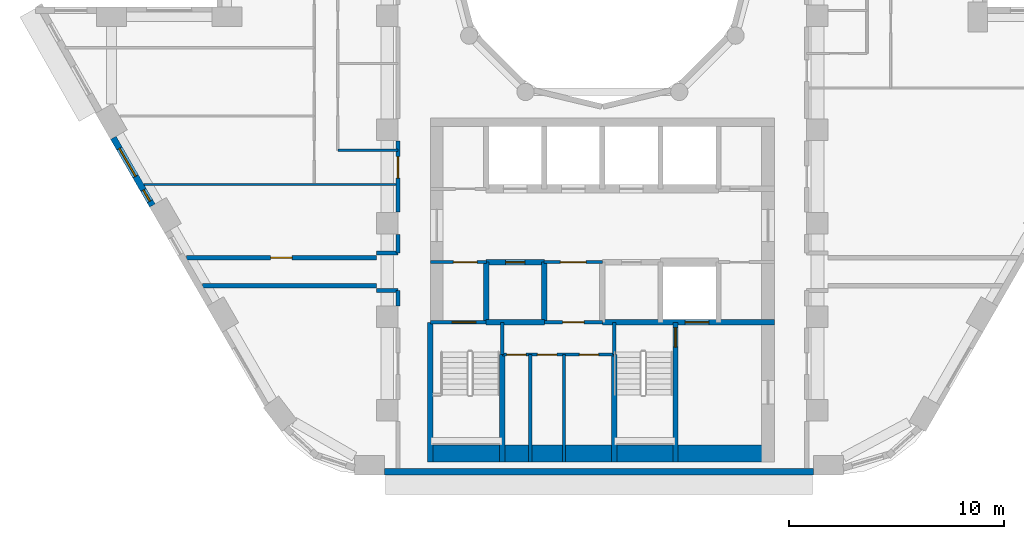
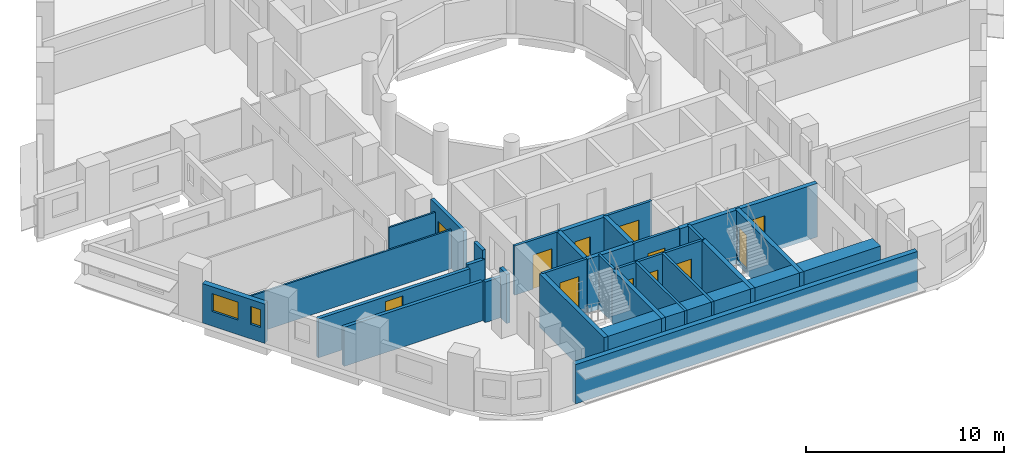
# One storey, part 3 of 12: 30 walls, 12 doors, 2 windows, 14 openings.
"""IFC4 building model written with IfcOpenShell, lengths in metres."""

from ifc_helpers import new_model, si_unit, direction, frame, frame_2d, origin, place, context, subcontext, project, spatial, rectangle, extrude, material, layer, layer_set, type_object, element, fill, save


model = new_model("IFC4")

# Units and contexts
model_context = context("Model", 3, precision=1e-05, world=origin(), true_north=direction((0.0, 1.0)))
body_context = subcontext(model_context, "Body", "Model", "MODEL_VIEW")
ifc_project = project(units=[si_unit("LENGTHUNIT", "METRE"), si_unit("AREAUNIT", "SQUARE_METRE"), si_unit("VOLUMEUNIT", "CUBIC_METRE"), si_unit("PLANEANGLEUNIT", "RADIAN"), si_unit("MASSUNIT", "GRAM", prefix="KILO")], contexts=[model_context])

# Site, building, storey
site_placement = place(None, origin())
site = spatial("IfcSite", under=ifc_project, at=site_placement, CompositionType="ELEMENT")
building_placement = place(site_placement, origin())
building = spatial("IfcBuilding", under=site, at=building_placement, Name="Nakaniwa Court", CompositionType="ELEMENT")
storey_placement = place(building_placement, frame((0.0, 0.0, 87.60009765625)))
storey = spatial("IfcBuildingStorey", under=building, at=storey_placement, Name="L22", CompositionType="ELEMENT", Elevation=87.60009765625)

# Walls
ifc_material_1 = material(Name="Acoustic double stud partition")
ifc_layer_1 = layer(ifc_material_1, 0.199951171875)
ifc_layer_set_1 = layer_set([ifc_layer_1], Name="Acoustic double stud partition")
wall_type_1 = type_object("IfcWallType", Name="Acoustic double stud partition 200", PredefinedType="PARTITIONING", material=ifc_layer_set_1)
wall_1_placement = place(storey_placement, frame((61.4091796875, 64.800048828125, 0.0), z_axis=(0.0, 0.0, 1.0), x_axis=(1.0, 0.0, 0.0)))
element("IfcWall", 1, at=wall_1_placement, inside=storey, type_object=wall_type_1, Name="Partition PW-087", PredefinedType="PARTITIONING", context=body_context, shape_type="SweptSolid", body=[
    extrude(rectangle(XDim=8.0908203125, YDim=0.199951171875, at=frame_2d((4.04541015625, 0.0))), origin(), (0.0, 0.0, 1.0), 2.40478515625),
])
for number, where, z_axis, x_axis, name in (
    (2, (69.5, 64.574951171875, 0.0), (0.0, 0.0, 1.0), (1.0, 0.0, 0.0), "Partition PW-089"),
    (3, (69.5, 66.324951171875, 0.0), (0.0, 0.0, 1.0), (1.0, 0.0, 0.0), "Partition PW-091"),
):
    element("IfcWall", number, at=place(storey_placement, frame(where, z_axis=z_axis, x_axis=x_axis)), inside=storey, type_object=wall_type_1, Name=name, PredefinedType="PARTITIONING", context=body_context, shape_type="SweptSolid", body=[
        extrude(rectangle(XDim=1.0, YDim=0.199951171875, at=frame_2d((0.5, 0.0))), origin(), (0.0, 0.0, 1.0), 2.5048828125),
    ])

# Wall, opening, door
wall_2_placement = place(storey_placement, frame((60.65869140625, 66.10009765625, 0.0), z_axis=(0.0, 0.0, 1.0), x_axis=(1.0, 0.0, 0.0)))
wall_2 = element("IfcWall", 4, at=wall_2_placement, inside=storey, type_object=wall_type_1, Name="Partition PW-093", PredefinedType="PARTITIONING", context=body_context, shape_type="SweptSolid", body=[
    extrude(rectangle(XDim=8.84130859375, YDim=0.199951171875, at=frame_2d((4.420654296875, 0.0))), origin(), (0.0, 0.0, 1.0), 2.40478515625),
])
opening_1_placement = place(wall_2_placement, frame((3.9208984375, 0.0, 0.0)))
opening_1 = element("IfcOpeningElement", 5, at=opening_1_placement, cuts=wall_2, Name="Opening D-02-08", PredefinedType="OPENING", context=body_context, shape_type="SweptSolid", body=[
    extrude(rectangle(XDim=1.0, YDim=2.10009765625, at=frame_2d((0.5, 1.050048828125))), frame((0.0, 0.10986328125, 0.0), z_axis=(0.0, -1.0, 0.0), x_axis=(1.0, 0.0, 0.0)), (0.0, 0.0, 1.0), 0.219970703125),
])
ifc_material_2 = material(Name="Solid core timber door set, black veneer", Category="wood")
door_type_1 = type_object("IfcDoorType", Name="Internal door 1000", OperationType="NOTDEFINED", PredefinedType="DOOR", material=ifc_material_2)
door_1_placement = place(opening_1_placement, origin())
door_1 = element("IfcDoor", 6, at=door_1_placement, inside=storey, type_object=door_type_1, Name="Door D-02-08 L22-050", OperationType="SINGLE_SWING_LEFT", OverallHeight=2.10009765625, OverallWidth=1.0, PredefinedType="DOOR", context=body_context, shape_type="SweptSolid", body=[
    extrude(rectangle(XDim=1.0, YDim=2.10009765625, at=frame_2d((0.5, 1.050048828125))), frame((0.0, 0.02490234375, 0.0), z_axis=(0.0, -1.0, 0.0), x_axis=(1.0, 0.0, 0.0)), (0.0, 0.0, 1.0), 0.050048828125),
])
fill(opening_1, door_1)

# Walls
wall_3_placement = place(storey_placement, frame((70.5, 63.866943359375, 0.0), z_axis=(0.0, 0.0, 1.0), x_axis=(0.0, 1.0, 0.0)))
element("IfcWall", 7, at=wall_3_placement, inside=storey, type_object=wall_type_1, Name="Partition PW-097", PredefinedType="PARTITIONING", context=body_context, shape_type="SweptSolid", body=[
    extrude(rectangle(XDim=0.7109375, YDim=0.199951171875, at=frame_2d((0.35546875, 0.0))), origin(), (0.0, 0.0, 1.0), 3.02490234375),
])
wall_4_placement = place(storey_placement, frame((70.5, 66.322021484375, 0.0), z_axis=(0.0, 0.0, 1.0), x_axis=(0.0, 1.0, 0.0)))
element("IfcWall", 8, at=wall_4_placement, inside=storey, type_object=wall_type_1, Name="Partition PW-098", PredefinedType="PARTITIONING", context=body_context, shape_type="SweptSolid", body=[
    extrude(rectangle(XDim=0.861083984375, YDim=0.199951171875, at=frame_2d((0.4306640625, 0.0))), origin(), (0.0, 0.0, 1.0), 3.02490234375),
])

# Wall, opening, door
wall_5_placement = place(storey_placement, frame((70.5, 68.217041015625, 0.0), z_axis=(0.0, 0.0, 1.0), x_axis=(0.0, 1.0, 0.0)))
wall_5 = element("IfcWall", 9, at=wall_5_placement, inside=storey, type_object=wall_type_1, Name="Partition PW-099", PredefinedType="PARTITIONING", context=body_context, shape_type="SweptSolid", body=[
    extrude(rectangle(XDim=3.31591796875, YDim=0.199951171875, at=frame_2d((1.657958984375, 0.0))), origin(), (0.0, 0.0, 1.0), 3.02490234375),
])
opening_2_placement = place(wall_5_placement, frame((1.5830078125, 0.0, 0.0)))
opening_2 = element("IfcOpeningElement", 10, at=opening_2_placement, cuts=wall_5, Name="Opening D-01-03", PredefinedType="OPENING", context=body_context, shape_type="SweptSolid", body=[
    extrude(rectangle(XDim=1.0, YDim=2.10009765625, at=frame_2d((0.5, 1.050048828125))), frame((0.0, 0.10986328125, 0.0), z_axis=(0.0, -1.0, 0.0), x_axis=(1.0, 0.0, 0.0)), (0.0, 0.0, 1.0), 0.219970703125),
])
door_type_2 = type_object("IfcDoorType", Name="Flat entrance door 1000", OperationType="NOTDEFINED", PredefinedType="DOOR", material=ifc_material_2)
door_2_placement = place(opening_2_placement, origin())
door_2 = element("IfcDoor", 11, at=door_2_placement, inside=storey, type_object=door_type_2, Name="Door D-01-03 L22-039", OperationType="SINGLE_SWING_RIGHT", OverallHeight=2.10009765625, OverallWidth=1.0, PredefinedType="DOOR", context=body_context, shape_type="SweptSolid", body=[
    extrude(rectangle(XDim=1.0, YDim=2.10009765625, at=frame_2d((0.5, 1.050048828125))), frame((0.0, 0.02490234375, 0.0), z_axis=(0.0, -1.0, 0.0), x_axis=(1.0, 0.0, 0.0)), (0.0, 0.0, 1.0), 0.050048828125),
])
fill(opening_2, door_2)

# Wall, openings, windows
ifc_material_3 = material(Name="Charcoal ceramic cladding")
ifc_layer_2 = layer(ifc_material_3, 0.02, Name="Ceramic cladding")
ifc_material_4 = material(Name="Ventilated air cavity")
ifc_layer_3 = layer(ifc_material_4, 0.04, ventilated=True, Name="Ventilated cavity")
ifc_material_5 = material(Name="Mineral wool insulation")
ifc_layer_4 = layer(ifc_material_5, 0.1, Name="Insulation")
ifc_material_6 = material(Name="Cement bonded sheathing board")
ifc_layer_5 = layer(ifc_material_6, 0.012, Name="Sheathing")
ifc_material_7 = material(Name="Cold-formed galvanised stud frame with mineral wool infill")
ifc_layer_6 = layer(ifc_material_7, 0.1, Name="Stud frame")
ifc_material_8 = material(Name="Fire-rated gypsum plasterboard lining")
ifc_layer_7 = layer(ifc_material_8, 0.028, Name="Lining")
ifc_layer_set_2 = layer_set([ifc_layer_2, ifc_layer_3, ifc_layer_4, ifc_layer_5, ifc_layer_6, ifc_layer_7], Name="Charcoal ceramic faced external wall system")
wall_type_2 = type_object("IfcWallType", Name="Black ceramic faced external wall 300", PredefinedType="SOLIDWALL", material=ifc_layer_set_2)
wall_6_placement = place(storey_placement, frame((57.265380859375, 71.677490234375, 0.0), z_axis=(0.0, 0.0, 1.0), x_axis=(0.500009139881, -0.866020126807, 0.0)))
wall_6 = element("IfcWall", 12, at=wall_6_placement, inside=storey, type_object=wall_type_2, Name="L22 external wall 21", PredefinedType="SOLIDWALL", context=body_context, shape_type="SweptSolid", body=[
    extrude(rectangle(XDim=3.63671875, YDim=0.300048828125, at=frame_2d((1.818359375, 0.0))), origin(), (0.0, 0.0, 1.0), 2.4248046875),
])
opening_3_placement = place(wall_6_placement, frame((0.568359375, 0.0, 0.89990234375)))
opening_3 = element("IfcOpeningElement", 13, at=opening_3_placement, cuts=wall_6, Name="Opening W5.25", PredefinedType="OPENING", context=body_context, shape_type="SweptSolid", body=[
    extrude(rectangle(XDim=1.5, YDim=1.10009765625, at=frame_2d((0.75, 0.550048828125))), frame((0.0, 0.159912109375, 0.0), z_axis=(0.0, -1.0, 0.0), x_axis=(1.0, 0.0, 0.0)), (0.0, 0.0, 1.0), 0.320068359375),
])
opening_4_placement = place(wall_6_placement, frame((2.7998046875, 0.0, 0.89990234375)))
opening_4 = element("IfcOpeningElement", 14, at=opening_4_placement, cuts=wall_6, Name="Opening W8.26", PredefinedType="OPENING", context=body_context, shape_type="SweptSolid", body=[
    extrude(rectangle(XDim=0.60009765625, YDim=1.10009765625, at=frame_2d((0.300048828125, 0.550048828125))), frame((0.0, 0.159912109375, 0.0), z_axis=(0.0, -1.0, 0.0), x_axis=(1.0, 0.0, 0.0)), (0.0, 0.0, 1.0), 0.320068359375),
])
ifc_material_9 = material(Name="Black anodised aluminium frame with dark low-E laminated double glazing", Category="aluminium")
window_type_1 = type_object("IfcWindowType", Name="Dark glass window 1500x1100 sill 900", PartitioningType="SINGLE_PANEL", PredefinedType="WINDOW", material=ifc_material_9)
window_1_placement = place(opening_3_placement, origin())
window_1 = element("IfcWindow", 15, at=window_1_placement, inside=storey, type_object=window_type_1, Name="L22 bedroom window 21-0", OverallHeight=1.10009765625, OverallWidth=1.5, PartitioningType="SINGLE_PANEL", PredefinedType="WINDOW", context=body_context, shape_type="SweptSolid", body=[
    extrude(rectangle(XDim=1.5, YDim=1.10009765625, at=frame_2d((0.75, 0.550048828125))), frame((0.0, 0.030029296875, 0.0), z_axis=(0.0, -1.0, 0.0), x_axis=(1.0, 0.0, 0.0)), (0.0, 0.0, 1.0), 0.06005859375),
])
fill(opening_3, window_1)
window_type_2 = type_object("IfcWindowType", Name="Dark glass window 600x1100 sill 900", PartitioningType="SINGLE_PANEL", PredefinedType="WINDOW", material=ifc_material_9)
window_2_placement = place(opening_4_placement, origin())
window_2 = element("IfcWindow", 16, at=window_2_placement, inside=storey, type_object=window_type_2, Name="L22 habitable room window 21-1", OverallHeight=1.10009765625, OverallWidth=0.60009765625, PartitioningType="SINGLE_PANEL", PredefinedType="WINDOW", context=body_context, shape_type="SweptSolid", body=[
    extrude(rectangle(XDim=0.60009765625, YDim=1.10009765625, at=frame_2d((0.300048828125, 0.550048828125))), frame((0.0, 0.030029296875, 0.0), z_axis=(0.0, -1.0, 0.0), x_axis=(1.0, 0.0, 0.0)), (0.0, 0.0, 1.0), 0.06005859375),
])
fill(opening_4, window_2)

# Wall
wall_7_placement = place(storey_placement, frame((69.871337890625, 56.14990234375, 0.0), z_axis=(0.0, 0.0, 1.0), x_axis=(1.0, 0.0, 0.0)))
element("IfcWall", 17, at=wall_7_placement, inside=storey, type_object=wall_type_2, Name="L22 external wall 26", PredefinedType="SOLIDWALL", context=body_context, shape_type="SweptSolid", body=[
    extrude(rectangle(XDim=19.939697265625, YDim=0.300048828125, at=frame_2d((9.9697265625, 0.0))), origin(), (0.0, 0.0, 1.0), 2.4248046875),
])

# Wall, opening, door
ifc_material_10 = material(Name="Blockwork partition", Category="masonry")
ifc_layer_8 = layer(ifc_material_10, 0.14990234375)
ifc_layer_set_3 = layer_set([ifc_layer_8], Name="Blockwork partition")
wall_type_3 = type_object("IfcWallType", Name="Blockwork partition 150", PredefinedType="PARTITIONING", material=ifc_layer_set_3)
wall_8_placement = place(storey_placement, frame((74.60302734375, 65.89990234375, 0.0), z_axis=(0.0, 0.0, 1.0), x_axis=(-1.0, 0.0, 0.0)))
wall_8 = element("IfcWall", 18, at=wall_8_placement, inside=storey, type_object=wall_type_3, Name="Partition PW-050", PredefinedType="PARTITIONING", context=body_context, shape_type="SweptSolid", body=[
    extrude(rectangle(XDim=2.60302734375, YDim=0.14990234375, at=frame_2d((1.301513671875, 0.0))), origin(), (0.0, 0.0, 1.0), 3.02490234375),
])
opening_5_placement = place(wall_8_placement, frame((0.427978515625, 0.0, 0.0)))
opening_5 = element("IfcOpeningElement", 19, at=opening_5_placement, cuts=wall_8, Name="Opening D-08-02", PredefinedType="OPENING", context=body_context, shape_type="SweptSolid", body=[
    extrude(rectangle(XDim=1.10009765625, YDim=2.10009765625, at=frame_2d((0.550048828125, 1.050048828125))), frame((0.0, 0.0849609375, 0.0), z_axis=(0.0, -1.0, 0.0), x_axis=(1.0, 0.0, 0.0)), (0.0, 0.0, 1.0), 0.169921875),
])
ifc_material_11 = material(Name="Fire rated steel door set", Category="steel")
door_type_3 = type_object("IfcDoorType", Name="Stair lobby door 1100", OperationType="NOTDEFINED", PredefinedType="DOOR", material=ifc_material_11)
door_3_placement = place(opening_5_placement, origin())
door_3 = element("IfcDoor", 20, at=door_3_placement, inside=storey, type_object=door_type_3, Name="Door D-08-02 L22-016", OperationType="SINGLE_SWING_LEFT", OverallHeight=2.10009765625, OverallWidth=1.10009765625, PredefinedType="DOOR", context=body_context, shape_type="SweptSolid", body=[
    extrude(rectangle(XDim=1.10009765625, YDim=2.10009765625, at=frame_2d((0.550048828125, 1.050048828125))), frame((0.0, 0.02490234375, 0.0), z_axis=(0.0, -1.0, 0.0), x_axis=(1.0, 0.0, 0.0)), (0.0, 0.0, 1.0), 0.050048828125),
])
fill(opening_5, door_3)

wall_9_placement = place(storey_placement, frame((80.0029296875, 65.89990234375, 0.0), z_axis=(0.0, 0.0, 1.0), x_axis=(-1.0, 0.0, 0.0)))
wall_9 = element("IfcWall", 21, at=wall_9_placement, inside=storey, type_object=wall_type_3, Name="Partition PW-051", PredefinedType="PARTITIONING", context=body_context, shape_type="SweptSolid", body=[
    extrude(rectangle(XDim=2.705810546875, YDim=0.14990234375, at=frame_2d((1.35302734375, 0.0))), origin(), (0.0, 0.0, 1.0), 3.02490234375),
])
opening_6_placement = place(wall_9_placement, frame((0.7529296875, 0.0, 0.0)))
opening_6 = element("IfcOpeningElement", 22, at=opening_6_placement, cuts=wall_9, Name="Opening D-06-02", PredefinedType="OPENING", context=body_context, shape_type="SweptSolid", body=[
    extrude(rectangle(XDim=1.199951171875, YDim=2.10009765625, at=frame_2d((0.60009765625, 1.050048828125))), frame((0.0, 0.0849609375, 0.0), z_axis=(0.0, -1.0, 0.0), x_axis=(1.0, 0.0, 0.0)), (0.0, 0.0, 1.0), 0.169921875),
])
ifc_material_12 = material(Name="Fire rated steel double door set", Category="steel")
door_type_4 = type_object("IfcDoorType", Name="Service passage double door 1200", OperationType="NOTDEFINED", PredefinedType="DOOR", material=ifc_material_12)
door_4_placement = place(opening_6_placement, origin())
door_4 = element("IfcDoor", 23, at=door_4_placement, inside=storey, type_object=door_type_4, Name="Door D-06-02 L22-018", OperationType="DOUBLE_DOOR_SINGLE_SWING", OverallHeight=2.10009765625, OverallWidth=1.199951171875, PredefinedType="DOOR", context=body_context, shape_type="SweptSolid", body=[
    extrude(rectangle(XDim=1.199951171875, YDim=2.10009765625, at=frame_2d((0.60009765625, 1.050048828125))), frame((0.0, 0.02490234375, 0.0), z_axis=(0.0, -1.0, 0.0), x_axis=(1.0, 0.0, 0.0)), (0.0, 0.0, 1.0), 0.050048828125),
])
fill(opening_6, door_4)

wall_10_placement = place(storey_placement, frame((80.0, 63.10009765625, 0.0), z_axis=(0.0, 0.0, 1.0), x_axis=(-1.0, 0.0, 0.0)))
wall_10 = element("IfcWall", 24, at=wall_10_placement, inside=storey, type_object=wall_type_3, Name="Partition PW-059", PredefinedType="PARTITIONING", context=body_context, shape_type="SweptSolid", body=[
    extrude(rectangle(XDim=2.699951171875, YDim=0.14990234375, at=frame_2d((1.35009765625, 0.0))), origin(), (0.0, 0.0, 1.0), 3.02490234375),
])
opening_7_placement = place(wall_10_placement, frame((0.85009765625, 0.0, 0.0)))
opening_7 = element("IfcOpeningElement", 25, at=opening_7_placement, cuts=wall_10, Name="Opening D-23-02", PredefinedType="OPENING", context=body_context, shape_type="SweptSolid", body=[
    extrude(rectangle(XDim=1.0, YDim=2.10009765625, at=frame_2d((0.5, 1.050048828125))), frame((0.0, 0.0849609375, 0.0), z_axis=(0.0, -1.0, 0.0), x_axis=(1.0, 0.0, 0.0)), (0.0, 0.0, 1.0), 0.169921875),
])
door_type_5 = type_object("IfcDoorType", Name="Service room door 1000", OperationType="NOTDEFINED", PredefinedType="DOOR", material=ifc_material_11)
door_5_placement = place(opening_7_placement, origin())
door_5 = element("IfcDoor", 26, at=door_5_placement, inside=storey, type_object=door_type_5, Name="Door D-23-02 L22-021", OperationType="SINGLE_SWING_RIGHT", OverallHeight=2.10009765625, OverallWidth=1.0, PredefinedType="DOOR", context=body_context, shape_type="SweptSolid", body=[
    extrude(rectangle(XDim=1.0, YDim=2.10009765625, at=frame_2d((0.5, 1.050048828125))), frame((0.0, 0.02490234375, 0.0), z_axis=(0.0, -1.0, 0.0), x_axis=(1.0, 0.0, 0.0)), (0.0, 0.0, 1.0), 0.050048828125),
])
fill(opening_7, door_5)

# Wall, openings, doors
wall_11_placement = place(storey_placement, frame((80.550048828125, 61.60009765625, 0.0), z_axis=(0.0, 0.0, 1.0), x_axis=(-1.0, 0.0, 0.0)))
wall_11 = element("IfcWall", 27, at=wall_11_placement, inside=storey, type_object=wall_type_3, Name="Partition PW-066", PredefinedType="PARTITIONING", context=body_context, shape_type="SweptSolid", body=[
    extrude(rectangle(XDim=5.199951171875, YDim=0.14990234375, at=frame_2d((2.60009765625, 0.0))), origin(), (0.0, 0.0, 1.0), 3.02490234375),
])
opening_8_placement = place(wall_11_placement, frame((4.10009765625, 0.0, 0.0)))
opening_8 = element("IfcOpeningElement", 28, at=opening_8_placement, cuts=wall_11, Name="Opening D-05-14", PredefinedType="OPENING", context=body_context, shape_type="SweptSolid", body=[
    extrude(rectangle(XDim=0.89990234375, YDim=2.10009765625, at=frame_2d((0.449951171875, 1.050048828125))), frame((0.0, 0.0849609375, 0.0), z_axis=(0.0, -1.0, 0.0), x_axis=(1.0, 0.0, 0.0)), (0.0, 0.0, 1.0), 0.169921875),
])
opening_9_placement = place(wall_11_placement, frame((2.669921875, 0.0, 0.0)))
opening_9 = element("IfcOpeningElement", 29, at=opening_9_placement, cuts=wall_11, Name="Opening D-05-15", PredefinedType="OPENING", context=body_context, shape_type="SweptSolid", body=[
    extrude(rectangle(XDim=0.89990234375, YDim=2.10009765625, at=frame_2d((0.449951171875, 1.050048828125))), frame((0.0, 0.0849609375, 0.0), z_axis=(0.0, -1.0, 0.0), x_axis=(1.0, 0.0, 0.0)), (0.0, 0.0, 1.0), 0.169921875),
])
opening_10_placement = place(wall_11_placement, frame((0.719970703125, 0.0, 0.0)))
opening_10 = element("IfcOpeningElement", 30, at=opening_10_placement, cuts=wall_11, Name="Opening D-05-16", PredefinedType="OPENING", context=body_context, shape_type="SweptSolid", body=[
    extrude(rectangle(XDim=0.89990234375, YDim=2.10009765625, at=frame_2d((0.449951171875, 1.050048828125))), frame((0.0, 0.0849609375, 0.0), z_axis=(0.0, -1.0, 0.0), x_axis=(1.0, 0.0, 0.0)), (0.0, 0.0, 1.0), 0.169921875),
])
door_type_6 = type_object("IfcDoorType", Name="Service room door 900", OperationType="NOTDEFINED", PredefinedType="DOOR", material=ifc_material_11)
door_6_placement = place(opening_8_placement, origin())
door_6 = element("IfcDoor", 31, at=door_6_placement, inside=storey, type_object=door_type_6, Name="Door D-05-14 L22-022", OperationType="SINGLE_SWING_LEFT", OverallHeight=2.10009765625, OverallWidth=0.89990234375, PredefinedType="DOOR", context=body_context, shape_type="SweptSolid", body=[
    extrude(rectangle(XDim=0.89990234375, YDim=2.10009765625, at=frame_2d((0.449951171875, 1.050048828125))), frame((0.0, 0.02490234375, 0.0), z_axis=(0.0, -1.0, 0.0), x_axis=(1.0, 0.0, 0.0)), (0.0, 0.0, 1.0), 0.050048828125),
])
fill(opening_8, door_6)
door_7_placement = place(opening_9_placement, origin())
door_7 = element("IfcDoor", 32, at=door_7_placement, inside=storey, type_object=door_type_6, Name="Door D-05-15 L22-023", OperationType="SINGLE_SWING_RIGHT", OverallHeight=2.10009765625, OverallWidth=0.89990234375, PredefinedType="DOOR", context=body_context, shape_type="SweptSolid", body=[
    extrude(rectangle(XDim=0.89990234375, YDim=2.10009765625, at=frame_2d((0.449951171875, 1.050048828125))), frame((0.0, 0.02490234375, 0.0), z_axis=(0.0, -1.0, 0.0), x_axis=(1.0, 0.0, 0.0)), (0.0, 0.0, 1.0), 0.050048828125),
])
fill(opening_9, door_7)
door_8_placement = place(opening_10_placement, origin())
door_8 = element("IfcDoor", 33, at=door_8_placement, inside=storey, type_object=door_type_6, Name="Door D-05-16 L22-024", OperationType="SINGLE_SWING_LEFT", OverallHeight=2.10009765625, OverallWidth=0.89990234375, PredefinedType="DOOR", context=body_context, shape_type="SweptSolid", body=[
    extrude(rectangle(XDim=0.89990234375, YDim=2.10009765625, at=frame_2d((0.449951171875, 1.050048828125))), frame((0.0, 0.02490234375, 0.0), z_axis=(0.0, -1.0, 0.0), x_axis=(1.0, 0.0, 0.0)), (0.0, 0.0, 1.0), 0.050048828125),
])
fill(opening_10, door_8)

# Walls
for number, where, z_axis, x_axis, name in (
    (34, (76.64990234375, 56.60009765625, 0.0), (0.0, 0.0, 1.0), (0.0, 1.0, 0.0), "Partition PW-067"),
    (35, (78.2099609375, 56.60009765625, 0.0), (0.0, 0.0, 1.0), (0.0, 1.0, 0.0), "Partition PW-068"),
):
    element("IfcWall", number, at=place(storey_placement, frame(where, z_axis=z_axis, x_axis=x_axis)), inside=storey, type_object=wall_type_3, Name=name, PredefinedType="PARTITIONING", context=body_context, shape_type="SweptSolid", body=[
        extrude(rectangle(XDim=5.0, YDim=0.14990234375, at=frame_2d((2.5, 0.0))), origin(), (0.0, 0.0, 1.0), 3.02490234375),
    ])

# Wall, opening, door
ifc_material_13 = material(Name="Concrete C80/100", Category="concrete")
ifc_layer_9 = layer(ifc_material_13, 0.14990234375)
ifc_layer_set_4 = layer_set([ifc_layer_9], Name="Concrete C80/100")
wall_type_4 = type_object("IfcWallType", Name="Concrete core wall 150 C80", PredefinedType="SHEAR", material=ifc_layer_set_4)
wall_12_placement = place(storey_placement, frame((72.0, 63.10009765625, -0.275146484375), z_axis=(0.0, 0.0, 1.0), x_axis=(1.0, 0.0, 0.0)))
wall_12 = element("IfcWall", 36, at=wall_12_placement, inside=storey, type_object=wall_type_4, Name="Core wall SW-56", PredefinedType="SHEAR", context=body_context, shape_type="SweptSolid", body=[
    extrude(rectangle(XDim=2.60009765625, YDim=0.14990234375, at=frame_2d((1.300048828125, 0.0))), origin(), (0.0, 0.0, 1.0), 3.300048828125),
])
opening_11_placement = place(wall_12_placement, frame((1.02001953125, 0.0, 0.27490234375)))
opening_11 = element("IfcOpeningElement", 37, at=opening_11_placement, cuts=wall_12, Name="Opening D-09-02", PredefinedType="OPENING", context=body_context, shape_type="SweptSolid", body=[
    extrude(rectangle(XDim=1.10009765625, YDim=2.10009765625, at=frame_2d((0.550048828125, 1.050048828125))), frame((0.0, 0.0849609375, 0.0), z_axis=(0.0, -1.0, 0.0), x_axis=(1.0, 0.0, 0.0)), (0.0, 0.0, 1.0), 0.169921875),
])
door_type_7 = type_object("IfcDoorType", Name="Stair door 1100", OperationType="NOTDEFINED", PredefinedType="DOOR", material=ifc_material_11)
door_9_placement = place(opening_11_placement, origin())
door_9 = element("IfcDoor", 38, at=door_9_placement, inside=storey, type_object=door_type_7, Name="Door D-09-02 L22-025", OperationType="SINGLE_SWING_LEFT", OverallHeight=2.10009765625, OverallWidth=1.10009765625, PredefinedType="DOOR", context=body_context, shape_type="SweptSolid", body=[
    extrude(rectangle(XDim=1.10009765625, YDim=2.10009765625, at=frame_2d((0.550048828125, 1.050048828125))), frame((0.0, 0.02490234375, 0.0), z_axis=(0.0, -1.0, 0.0), x_axis=(1.0, 0.0, 0.0)), (0.0, 0.0, 1.0), 0.050048828125),
])
fill(opening_11, door_9)

# Walls
for number, where, z_axis, x_axis, name in (
    (39, (75.35009765625, 61.596923828125, -0.275146484375), (0.0, 0.0, 1.0), (0.0, 1.0, 0.0), "Core wall SW-60"),
    (40, (80.550048828125, 61.596923828125, -0.275146484375), (0.0, 0.0, 1.0), (0.0, 1.0, 0.0), "Core wall SW-64"),
):
    element("IfcWall", number, at=place(storey_placement, frame(where, z_axis=z_axis, x_axis=x_axis)), inside=storey, type_object=wall_type_4, Name=name, PredefinedType="SHEAR", context=body_context, shape_type="SweptSolid", body=[
        extrude(rectangle(XDim=1.503173828125, YDim=0.14990234375, at=frame_2d((0.75146484375, 0.0))), origin(), (0.0, 0.0, 1.0), 3.300048828125),
    ])
ifc_layer_10 = layer(ifc_material_13, 0.25)
ifc_layer_set_5 = layer_set([ifc_layer_10], Name="Concrete C80/100")
wall_type_5 = type_object("IfcWallType", Name="Concrete core wall 250 C80", PredefinedType="SHEAR", material=ifc_layer_set_5)
wall_13_placement = place(storey_placement, frame((72.0, 56.60009765625, -0.275146484375), z_axis=(0.0, 0.0, 1.0), x_axis=(0.0, 1.0, 0.0)))
element("IfcWall", 41, at=wall_13_placement, inside=storey, type_object=wall_type_5, Name="Core wall SW-62", PredefinedType="SHEAR", context=body_context, shape_type="SweptSolid", body=[
    extrude(rectangle(XDim=6.5, YDim=0.25, at=frame_2d((3.25, 0.0))), origin(), (0.0, 0.0, 1.0), 3.300048828125),
])
ifc_layer_11 = layer(ifc_material_13, 0.800048828125)
ifc_layer_set_6 = layer_set([ifc_layer_11], Name="Concrete C80/100")
wall_type_6 = type_object("IfcWallType", Name="Concrete core wall 800 C80", PredefinedType="SHEAR", material=ifc_layer_set_6)
wall_14_placement = place(storey_placement, frame((72.00390625, 57.0, -0.275146484375), z_axis=(0.0, 0.0, 1.0), x_axis=(1.0, 0.0, 0.0)))
element("IfcWall", 42, at=wall_14_placement, inside=storey, type_object=wall_type_6, Name="Core wall SW-129", PredefinedType="SHEAR", context=body_context, shape_type="SweptSolid", body=[
    extrude(rectangle(XDim=15.9921875, YDim=0.800048828125, at=frame_2d((7.99609375, 0.0))), origin(), (0.0, 0.0, 1.0), 3.300048828125),
])
ifc_layer_12 = layer(ifc_material_13, 0.25)
ifc_layer_set_7 = layer_set([ifc_layer_12], Name="Concrete C80/100")
wall_type_7 = type_object("IfcWallType", Name="Concrete shaft wall 250 C80", PredefinedType="SHEAR", material=ifc_layer_set_7)
for number, where, z_axis, x_axis, name in (
    (43, (74.60009765625, 63.10009765625, -0.275146484375), (0.0, 0.0, 1.0), (0.0, 1.0, 0.0), "Core wall SW-35"),
    (44, (77.300048828125, 63.10009765625, -0.275146484375), (0.0, 0.0, 1.0), (0.0, 1.0, 0.0), "Core wall SW-39"),
):
    element("IfcWall", number, at=place(storey_placement, frame(where, z_axis=z_axis, x_axis=x_axis)), inside=storey, type_object=wall_type_7, Name=name, PredefinedType="SHEAR", context=body_context, shape_type="SweptSolid", body=[
        extrude(rectangle(XDim=2.7998046875, YDim=0.25, at=frame_2d((1.39990234375, 0.0))), origin(), (0.0, 0.0, 1.0), 3.300048828125),
    ])

# Wall, opening, door
wall_15_placement = place(storey_placement, frame((77.302978515625, 65.89990234375, -0.275146484375), z_axis=(0.0, 0.0, 1.0), x_axis=(-1.0, 0.0, 0.0)))
wall_15 = element("IfcWall", 45, at=wall_15_placement, inside=storey, type_object=wall_type_7, Name="Core wall SW-53", PredefinedType="SHEAR", context=body_context, shape_type="SweptSolid", body=[
    extrude(rectangle(XDim=2.7060546875, YDim=0.25, at=frame_2d((1.35302734375, 0.0))), origin(), (0.0, 0.0, 1.0), 3.300048828125),
])
opening_12_placement = place(wall_15_placement, frame((0.903076171875, 0.0, 0.27490234375)))
opening_12 = element("IfcOpeningElement", 46, at=opening_12_placement, cuts=wall_15, Name="Opening D-05-11", PredefinedType="OPENING", context=body_context, shape_type="SweptSolid", body=[
    extrude(rectangle(XDim=0.89990234375, YDim=2.10009765625, at=frame_2d((0.449951171875, 1.050048828125))), frame((0.0, 0.135009765625, 0.0), z_axis=(0.0, -1.0, 0.0), x_axis=(1.0, 0.0, 0.0)), (0.0, 0.0, 1.0), 0.27001953125),
])
door_10_placement = place(opening_12_placement, origin())
door_10 = element("IfcDoor", 47, at=door_10_placement, inside=storey, type_object=door_type_6, Name="Door D-05-11 L22-017", OperationType="SINGLE_SWING_RIGHT", OverallHeight=2.10009765625, OverallWidth=0.89990234375, PredefinedType="DOOR", context=body_context, shape_type="SweptSolid", body=[
    extrude(rectangle(XDim=0.89990234375, YDim=2.10009765625, at=frame_2d((0.449951171875, 1.050048828125))), frame((0.0, 0.02490234375, 0.0), z_axis=(0.0, -1.0, 0.0), x_axis=(1.0, 0.0, 0.0)), (0.0, 0.0, 1.0), 0.050048828125),
])
fill(opening_12, door_10)

# Wall
wall_16_placement = place(storey_placement, frame((74.60009765625, 63.10009765625, -0.275146484375), z_axis=(0.0, 0.0, 1.0), x_axis=(1.0, 0.0, 0.0)))
element("IfcWall", 48, at=wall_16_placement, inside=storey, type_object=wall_type_7, Name="Core wall SW-57", PredefinedType="SHEAR", context=body_context, shape_type="SweptSolid", body=[
    extrude(rectangle(XDim=2.699951171875, YDim=0.25, at=frame_2d((1.35009765625, 0.0))), origin(), (0.0, 0.0, 1.0), 3.300048828125),
])

# Wall, opening, door
wall_17_placement = place(storey_placement, frame((80.0, 63.10009765625, -0.275146484375), z_axis=(0.0, 0.0, 1.0), x_axis=(1.0, 0.0, 0.0)))
wall_17 = element("IfcWall", 49, at=wall_17_placement, inside=storey, type_object=wall_type_7, Name="Core wall SW-58", PredefinedType="SHEAR", context=body_context, shape_type="SweptSolid", body=[
    extrude(rectangle(XDim=8.0, YDim=0.25, at=frame_2d((4.0, 0.0))), origin(), (0.0, 0.0, 1.0), 3.300048828125),
])
opening_13_placement = place(wall_17_placement, frame((3.84912109375, 0.0, 0.27490234375)))
opening_13 = element("IfcOpeningElement", 50, at=opening_13_placement, cuts=wall_17, Name="Opening LD08", PredefinedType="OPENING", context=body_context, shape_type="SweptSolid", body=[
    extrude(rectangle(XDim=1.10009765625, YDim=2.10009765625, at=frame_2d((0.550048828125, 1.050048828125))), frame((0.0, 0.135009765625, 0.0), z_axis=(0.0, -1.0, 0.0), x_axis=(1.0, 0.0, 0.0)), (0.0, 0.0, 1.0), 0.27001953125),
])
ifc_material_14 = material(Name="Stainless steel sliding lift landing door", Category="steel")
door_type_8 = type_object("IfcDoorType", Name="Lift landing door 1100", OperationType="NOTDEFINED", PredefinedType="DOOR", material=ifc_material_14)
door_11_placement = place(opening_13_placement, origin())
door_11 = element("IfcDoor", 51, at=door_11_placement, inside=storey, type_object=door_type_8, Name="Lift landing door LD08 L22-008", OperationType="SLIDING_TO_LEFT", OverallHeight=2.10009765625, OverallWidth=1.10009765625, PredefinedType="DOOR", context=body_context, shape_type="SweptSolid", body=[
    extrude(rectangle(XDim=1.10009765625, YDim=2.10009765625, at=frame_2d((0.550048828125, 1.050048828125))), frame((0.0, 0.02490234375, 0.0), z_axis=(0.0, -1.0, 0.0), x_axis=(1.0, 0.0, 0.0)), (0.0, 0.0, 1.0), 0.050048828125),
])
fill(opening_13, door_11)

# Wall
wall_18_placement = place(storey_placement, frame((75.35009765625, 56.60009765625, -0.275146484375), z_axis=(0.0, 0.0, 1.0), x_axis=(0.0, 1.0, 0.0)))
element("IfcWall", 52, at=wall_18_placement, inside=storey, type_object=wall_type_7, Name="Core wall SW-61", PredefinedType="SHEAR", context=body_context, shape_type="SweptSolid", body=[
    extrude(rectangle(XDim=5.0029296875, YDim=0.25, at=frame_2d((2.50146484375, 0.0))), origin(), (0.0, 0.0, 1.0), 3.300048828125),
])

# Wall, opening, door
wall_19_placement = place(storey_placement, frame((83.39990234375, 63.10009765625, -0.275146484375), z_axis=(0.0, 0.0, 1.0), x_axis=(0.0, -1.0, 0.0)))
wall_19 = element("IfcWall", 53, at=wall_19_placement, inside=storey, type_object=wall_type_7, Name="Core wall SW-63", PredefinedType="SHEAR", context=body_context, shape_type="SweptSolid", body=[
    extrude(rectangle(XDim=6.5, YDim=0.25, at=frame_2d((3.25, 0.0))), origin(), (0.0, 0.0, 1.0), 3.300048828125),
])
opening_14_placement = place(wall_19_placement, frame((0.25, 0.0, 0.27490234375)))
opening_14 = element("IfcOpeningElement", 54, at=opening_14_placement, cuts=wall_19, Name="Opening D-11-02", PredefinedType="OPENING", context=body_context, shape_type="SweptSolid", body=[
    extrude(rectangle(XDim=0.89990234375, YDim=2.10009765625, at=frame_2d((0.449951171875, 1.050048828125))), frame((0.0, 0.135009765625, 0.0), z_axis=(0.0, -1.0, 0.0), x_axis=(1.0, 0.0, 0.0)), (0.0, 0.0, 1.0), 0.27001953125),
])
door_type_9 = type_object("IfcDoorType", Name="Stair door 900", OperationType="NOTDEFINED", PredefinedType="DOOR", material=ifc_material_11)
door_12_placement = place(opening_14_placement, origin())
door_12 = element("IfcDoor", 55, at=door_12_placement, inside=storey, type_object=door_type_9, Name="Door D-11-02 L22-026", OperationType="SINGLE_SWING_RIGHT", OverallHeight=2.10009765625, OverallWidth=0.89990234375, PredefinedType="DOOR", context=body_context, shape_type="SweptSolid", body=[
    extrude(rectangle(XDim=0.89990234375, YDim=2.10009765625, at=frame_2d((0.449951171875, 1.050048828125))), frame((0.0, 0.02490234375, 0.0), z_axis=(0.0, -1.0, 0.0), x_axis=(1.0, 0.0, 0.0)), (0.0, 0.0, 1.0), 0.050048828125),
])
fill(opening_14, door_12)

# Walls
wall_20_placement = place(storey_placement, frame((80.550048828125, 56.60009765625, -0.275146484375), z_axis=(0.0, 0.0, 1.0), x_axis=(0.0, 1.0, 0.0)))
element("IfcWall", 56, at=wall_20_placement, inside=storey, type_object=wall_type_7, Name="Core wall SW-65", PredefinedType="SHEAR", context=body_context, shape_type="SweptSolid", body=[
    extrude(rectangle(XDim=5.0029296875, YDim=0.25, at=frame_2d((2.50146484375, 0.0))), origin(), (0.0, 0.0, 1.0), 3.300048828125),
])
ifc_material_15 = material(Name="Single stud plasterboard partition")
ifc_layer_13 = layer(ifc_material_15, 0.10009765625)
ifc_layer_set_8 = layer_set([ifc_layer_13], Name="Single stud plasterboard partition")
wall_type_8 = type_object("IfcWallType", Name="Single stud plasterboard partition 100", PredefinedType="PARTITIONING", material=ifc_layer_set_8)
wall_21_placement = place(storey_placement, frame((67.699951171875, 71.10009765625, 0.0), z_axis=(0.0, 0.0, 1.0), x_axis=(1.0, 0.0, 0.0)))
element("IfcWall", 57, at=wall_21_placement, inside=storey, type_object=wall_type_8, Name="Partition PW-117", PredefinedType="PARTITIONING", context=body_context, shape_type="SweptSolid", body=[
    extrude(rectangle(XDim=2.800048828125, YDim=0.10009765625, at=frame_2d((1.39990234375, 0.0))), origin(), (0.0, 0.0, 1.0), 2.5048828125),
])
wall_22_placement = place(storey_placement, frame((58.69580078125, 69.5, 0.0), z_axis=(0.0, 0.0, 1.0), x_axis=(1.0, 0.0, 0.0)))
element("IfcWall", 58, at=wall_22_placement, inside=storey, type_object=wall_type_8, Name="Partition PW-122", PredefinedType="PARTITIONING", context=body_context, shape_type="SweptSolid", body=[
    extrude(rectangle(XDim=11.80419921875, YDim=0.10009765625, at=frame_2d((5.902099609375, 0.0))), origin(), (0.0, 0.0, 1.0), 2.40478515625),
])

save(model, "model.ifc")
